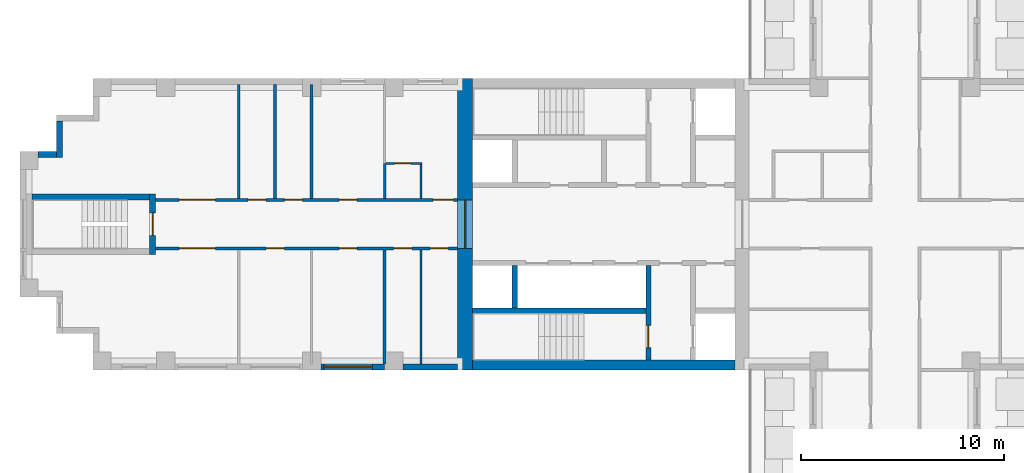
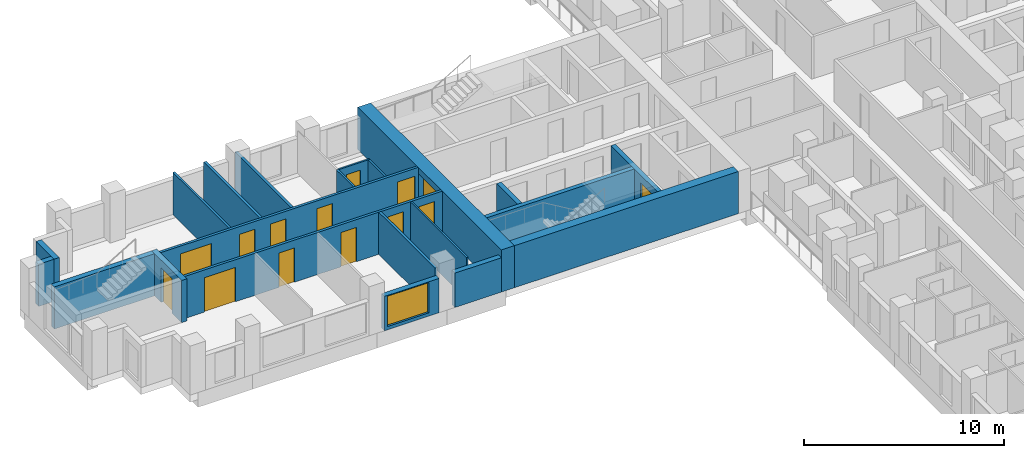
# One storey, part 6 of 16: 21 walls, 14 doors, 1 window, 15 openings.
"""IFC4 building model written with IfcOpenShell, lengths in metres."""

from ifc_helpers import new_model, si_unit, direction, frame, frame_2d, origin, place, context, subcontext, project, spatial, rectangle, extrude, material, layer, layer_set, type_object, element, fill, save


model = new_model("IFC4")

# Units and contexts
model_context = context("Model", 3, precision=1e-05, world=origin(), true_north=direction((0.0, 1.0)))
body_context = subcontext(model_context, "Body", "Model", "MODEL_VIEW")
ifc_project = project(units=[si_unit("LENGTHUNIT", "METRE"), si_unit("AREAUNIT", "SQUARE_METRE"), si_unit("VOLUMEUNIT", "CUBIC_METRE"), si_unit("PLANEANGLEUNIT", "RADIAN"), si_unit("MASSUNIT", "GRAM", prefix="KILO")], contexts=[model_context])

# Site, building, storey
site_placement = place(None, origin())
site = spatial("IfcSite", under=ifc_project, at=site_placement, CompositionType="ELEMENT")
building_placement = place(site_placement, origin())
building = spatial("IfcBuilding", under=site, at=building_placement, Name="Fustian Cross Tower", CompositionType="ELEMENT")
storey_placement = place(building_placement, frame((0.0, 0.0, 26.699951171875)))
storey = spatial("IfcBuildingStorey", under=building, at=storey_placement, Name="L07", CompositionType="ELEMENT", Elevation=26.699951171875)

# Wall, openings, doors
ifc_material_1 = material(Name="Plasterboard on steel stud", Category="steel")
ifc_layer_1 = layer(ifc_material_1, 0.14990234375)
ifc_layer_set_1 = layer_set([ifc_layer_1], Name="Plasterboard on steel stud")
wall_type_1 = type_object("IfcWallType", Name="COMPARTMENT WALL 150 EI 60", PredefinedType="PARTITIONING", material=ifc_layer_set_1)
wall_1_placement = place(storey_placement, frame((-36.5, -1.199951171875, 0.0), z_axis=(0.0, 0.0, 1.0), x_axis=(1.0, 0.0, 0.0)))
wall_1 = element("IfcWall", 1, at=wall_1_placement, inside=storey, type_object=wall_type_1, Name="Partition 1", PredefinedType="PARTITIONING", context=body_context, shape_type="SweptSolid", body=[
    extrude(rectangle(XDim=14.89990234375, YDim=0.14990234375, at=frame_2d((7.449951171875, 0.0))), origin(), (0.0, 0.0, 1.0), 2.574951171875),
])
opening_1_placement = place(wall_1_placement, frame((13.550048828125, 0.0, 0.0)))
opening_1 = element("IfcOpeningElement", 2, at=opening_1_placement, cuts=wall_1, Name="Opening D05039", PredefinedType="OPENING", context=body_context, shape_type="SweptSolid", body=[
    extrude(rectangle(XDim=0.89990234375, YDim=2.10009765625, at=frame_2d((0.449951171875, 1.050048828125))), frame((0.0, 0.0849609375, 0.0), z_axis=(0.0, -1.0, 0.0), x_axis=(1.0, 0.0, 0.0)), (0.0, 0.0, 1.0), 0.169921875),
])
opening_2_placement = place(wall_1_placement, frame((11.75, 0.0, 0.0)))
opening_2 = element("IfcOpeningElement", 3, at=opening_2_placement, cuts=wall_1, Name="Opening D05040", PredefinedType="OPENING", context=body_context, shape_type="SweptSolid", body=[
    extrude(rectangle(XDim=0.89990234375, YDim=2.10009765625, at=frame_2d((0.449951171875, 1.050048828125))), frame((0.0, 0.0849609375, 0.0), z_axis=(0.0, -1.0, 0.0), x_axis=(1.0, 0.0, 0.0)), (0.0, 0.0, 1.0), 0.169921875),
])
opening_3_placement = place(wall_1_placement, frame((9.050048828125, 0.0, 0.0)))
opening_3 = element("IfcOpeningElement", 4, at=opening_3_placement, cuts=wall_1, Name="Opening D05041", PredefinedType="OPENING", context=body_context, shape_type="SweptSolid", body=[
    extrude(rectangle(XDim=0.89990234375, YDim=2.10009765625, at=frame_2d((0.449951171875, 1.050048828125))), frame((0.0, 0.0849609375, 0.0), z_axis=(0.0, -1.0, 0.0), x_axis=(1.0, 0.0, 0.0)), (0.0, 0.0, 1.0), 0.169921875),
])
opening_4_placement = place(wall_1_placement, frame((5.449951171875, 0.0, 0.0)))
opening_4 = element("IfcOpeningElement", 5, at=opening_4_placement, cuts=wall_1, Name="Opening D05042", PredefinedType="OPENING", context=body_context, shape_type="SweptSolid", body=[
    extrude(rectangle(XDim=0.89990234375, YDim=2.10009765625, at=frame_2d((0.449951171875, 1.050048828125))), frame((0.0, 0.0849609375, 0.0), z_axis=(0.0, -1.0, 0.0), x_axis=(1.0, 0.0, 0.0)), (0.0, 0.0, 1.0), 0.169921875),
])
opening_5_placement = place(wall_1_placement, frame((1.14990234375, 0.0, 0.0)))
opening_5 = element("IfcOpeningElement", 6, at=opening_5_placement, cuts=wall_1, Name="Opening D05043", PredefinedType="OPENING", context=body_context, shape_type="SweptSolid", body=[
    extrude(rectangle(XDim=1.800048828125, YDim=2.10009765625, at=frame_2d((0.89990234375, 1.050048828125))), frame((0.0, 0.0849609375, 0.0), z_axis=(0.0, -1.0, 0.0), x_axis=(1.0, 0.0, 0.0)), (0.0, 0.0, 1.0), 0.169921875),
])
ifc_material_2 = material(Name="Timber fire door set", Category="wood")
door_type_1 = type_object("IfcDoorType", Name="FIRE DOUBLE DOOR 1800 FD30S", OperationType="DOUBLE_DOOR_DOUBLE_SWING", PredefinedType="DOOR", material=ifc_material_2)
door_1_placement = place(opening_5_placement, origin())
door_1 = element("IfcDoor", 7, at=door_1_placement, inside=storey, type_object=door_type_1, Name="Door D05043", OperationType="DOUBLE_DOOR_DOUBLE_SWING", OverallHeight=2.10009765625, OverallWidth=1.800048828125, PredefinedType="DOOR", context=body_context, shape_type="SweptSolid", body=[
    extrude(rectangle(XDim=1.800048828125, YDim=2.10009765625, at=frame_2d((0.89990234375, 1.050048828125))), frame((0.0, 0.02490234375, 0.0), z_axis=(0.0, -1.0, 0.0), x_axis=(1.0, 0.0, 0.0)), (0.0, 0.0, 1.0), 0.050048828125),
])
fill(opening_5, door_1)
ifc_material_3 = material(Name="Timber fire door set", Category="wood")
door_type_2 = type_object("IfcDoorType", Name="FIRE SWING DOOR 900 FD30S", OperationType="SINGLE_SWING_LEFT", PredefinedType="DOOR", material=ifc_material_3)
door_2_placement = place(opening_1_placement, frame((0.89990234375, 0.0, 0.0), z_axis=(0.0, 0.0, 1.0), x_axis=(-1.0, 0.0, 0.0)))
door_2 = element("IfcDoor", 8, at=door_2_placement, inside=storey, type_object=door_type_2, Name="Door D05039", OperationType="SINGLE_SWING_LEFT", OverallHeight=2.10009765625, OverallWidth=0.89990234375, PredefinedType="DOOR", context=body_context, shape_type="SweptSolid", body=[
    extrude(rectangle(XDim=0.89990234375, YDim=2.10009765625, at=frame_2d((0.449951171875, 1.050048828125))), frame((0.0, 0.02490234375, 0.0), z_axis=(0.0, -1.0, 0.0), x_axis=(1.0, 0.0, 0.0)), (0.0, 0.0, 1.0), 0.050048828125),
])
fill(opening_1, door_2)
door_3_placement = place(opening_2_placement, frame((0.89990234375, 0.0, 0.0), z_axis=(0.0, 0.0, 1.0), x_axis=(-1.0, 0.0, 0.0)))
door_3 = element("IfcDoor", 9, at=door_3_placement, inside=storey, type_object=door_type_2, Name="Door D05040", OperationType="SINGLE_SWING_LEFT", OverallHeight=2.10009765625, OverallWidth=0.89990234375, PredefinedType="DOOR", context=body_context, shape_type="SweptSolid", body=[
    extrude(rectangle(XDim=0.89990234375, YDim=2.10009765625, at=frame_2d((0.449951171875, 1.050048828125))), frame((0.0, 0.02490234375, 0.0), z_axis=(0.0, -1.0, 0.0), x_axis=(1.0, 0.0, 0.0)), (0.0, 0.0, 1.0), 0.050048828125),
])
fill(opening_2, door_3)
door_4_placement = place(opening_3_placement, frame((0.89990234375, 0.0, 0.0), z_axis=(0.0, 0.0, 1.0), x_axis=(-1.0, 0.0, 0.0)))
door_4 = element("IfcDoor", 10, at=door_4_placement, inside=storey, type_object=door_type_2, Name="Door D05041", OperationType="SINGLE_SWING_RIGHT", OverallHeight=2.10009765625, OverallWidth=0.89990234375, PredefinedType="DOOR", context=body_context, shape_type="SweptSolid", body=[
    extrude(rectangle(XDim=0.89990234375, YDim=2.10009765625, at=frame_2d((0.449951171875, 1.050048828125))), frame((0.0, 0.02490234375, 0.0), z_axis=(0.0, -1.0, 0.0), x_axis=(1.0, 0.0, 0.0)), (0.0, 0.0, 1.0), 0.050048828125),
])
fill(opening_3, door_4)
door_5_placement = place(opening_4_placement, frame((0.89990234375, 0.0, 0.0), z_axis=(0.0, 0.0, 1.0), x_axis=(-1.0, 0.0, 0.0)))
door_5 = element("IfcDoor", 11, at=door_5_placement, inside=storey, type_object=door_type_2, Name="Door D05042", OperationType="SINGLE_SWING_RIGHT", OverallHeight=2.10009765625, OverallWidth=0.89990234375, PredefinedType="DOOR", context=body_context, shape_type="SweptSolid", body=[
    extrude(rectangle(XDim=0.89990234375, YDim=2.10009765625, at=frame_2d((0.449951171875, 1.050048828125))), frame((0.0, 0.02490234375, 0.0), z_axis=(0.0, -1.0, 0.0), x_axis=(1.0, 0.0, 0.0)), (0.0, 0.0, 1.0), 0.050048828125),
])
fill(opening_4, door_5)

wall_2_placement = place(storey_placement, frame((-36.5, 1.199951171875, 0.0), z_axis=(0.0, 0.0, 1.0), x_axis=(1.0, 0.0, 0.0)))
wall_2 = element("IfcWall", 12, at=wall_2_placement, inside=storey, type_object=wall_type_1, Name="Partition 2", PredefinedType="PARTITIONING", context=body_context, shape_type="SweptSolid", body=[
    extrude(rectangle(XDim=14.89990234375, YDim=0.14990234375, at=frame_2d((7.449951171875, 0.0))), origin(), (0.0, 0.0, 1.0), 2.574951171875),
])
opening_6_placement = place(wall_2_placement, frame((13.699951171875, 0.0, 0.0)))
opening_6 = element("IfcOpeningElement", 13, at=opening_6_placement, cuts=wall_2, Name="Opening D05045", PredefinedType="OPENING", context=body_context, shape_type="SweptSolid", body=[
    extrude(rectangle(XDim=1.0, YDim=2.10009765625, at=frame_2d((0.5, 1.050048828125))), frame((0.0, 0.0849609375, 0.0), z_axis=(0.0, -1.0, 0.0), x_axis=(1.0, 0.0, 0.0)), (0.0, 0.0, 1.0), 0.169921875),
])
opening_7_placement = place(wall_2_placement, frame((9.050048828125, 0.0, 0.0)))
opening_7 = element("IfcOpeningElement", 14, at=opening_7_placement, cuts=wall_2, Name="Opening D05046", PredefinedType="OPENING", context=body_context, shape_type="SweptSolid", body=[
    extrude(rectangle(XDim=0.89990234375, YDim=2.10009765625, at=frame_2d((0.449951171875, 1.050048828125))), frame((0.0, 0.0849609375, 0.0), z_axis=(0.0, -1.0, 0.0), x_axis=(1.0, 0.0, 0.0)), (0.0, 0.0, 1.0), 0.169921875),
])
opening_8_placement = place(wall_2_placement, frame((6.35009765625, 0.0, 0.0)))
opening_8 = element("IfcOpeningElement", 15, at=opening_8_placement, cuts=wall_2, Name="Opening D05047", PredefinedType="OPENING", context=body_context, shape_type="SweptSolid", body=[
    extrude(rectangle(XDim=0.89990234375, YDim=2.10009765625, at=frame_2d((0.449951171875, 1.050048828125))), frame((0.0, 0.0849609375, 0.0), z_axis=(0.0, -1.0, 0.0), x_axis=(1.0, 0.0, 0.0)), (0.0, 0.0, 1.0), 0.169921875),
])
opening_9_placement = place(wall_2_placement, frame((4.550048828125, 0.0, 0.0)))
opening_9 = element("IfcOpeningElement", 16, at=opening_9_placement, cuts=wall_2, Name="Opening D05048", PredefinedType="OPENING", context=body_context, shape_type="SweptSolid", body=[
    extrude(rectangle(XDim=0.89990234375, YDim=2.10009765625, at=frame_2d((0.449951171875, 1.050048828125))), frame((0.0, 0.0849609375, 0.0), z_axis=(0.0, -1.0, 0.0), x_axis=(1.0, 0.0, 0.0)), (0.0, 0.0, 1.0), 0.169921875),
])
opening_10_placement = place(wall_2_placement, frame((1.14990234375, 0.0, 0.0)))
opening_10 = element("IfcOpeningElement", 17, at=opening_10_placement, cuts=wall_2, Name="Opening D05049", PredefinedType="OPENING", context=body_context, shape_type="SweptSolid", body=[
    extrude(rectangle(XDim=1.800048828125, YDim=2.10009765625, at=frame_2d((0.89990234375, 1.050048828125))), frame((0.0, 0.0849609375, 0.0), z_axis=(0.0, -1.0, 0.0), x_axis=(1.0, 0.0, 0.0)), (0.0, 0.0, 1.0), 0.169921875),
])
door_6_placement = place(opening_10_placement, frame((1.800048828125, 0.0, 0.0), z_axis=(0.0, 0.0, 1.0), x_axis=(-1.0, 0.0, 0.0)))
door_6 = element("IfcDoor", 18, at=door_6_placement, inside=storey, type_object=door_type_1, Name="Door D05049", OperationType="DOUBLE_DOOR_DOUBLE_SWING", OverallHeight=2.10009765625, OverallWidth=1.800048828125, PredefinedType="DOOR", context=body_context, shape_type="SweptSolid", body=[
    extrude(rectangle(XDim=1.800048828125, YDim=2.10009765625, at=frame_2d((0.89990234375, 1.050048828125))), frame((0.0, 0.02490234375, 0.0), z_axis=(0.0, -1.0, 0.0), x_axis=(1.0, 0.0, 0.0)), (0.0, 0.0, 1.0), 0.050048828125),
])
fill(opening_10, door_6)
ifc_material_4 = material(Name="Timber fire door set", Category="wood")
door_type_3 = type_object("IfcDoorType", Name="FIRE SWING DOOR 1000 FD30S", OperationType="SINGLE_SWING_LEFT", PredefinedType="DOOR", material=ifc_material_4)
door_7_placement = place(opening_6_placement, origin())
door_7 = element("IfcDoor", 19, at=door_7_placement, inside=storey, type_object=door_type_3, Name="Door D05045", OperationType="SINGLE_SWING_RIGHT", OverallHeight=2.10009765625, OverallWidth=1.0, PredefinedType="DOOR", context=body_context, shape_type="SweptSolid", body=[
    extrude(rectangle(XDim=1.0, YDim=2.10009765625, at=frame_2d((0.5, 1.050048828125))), frame((0.0, 0.02490234375, 0.0), z_axis=(0.0, -1.0, 0.0), x_axis=(1.0, 0.0, 0.0)), (0.0, 0.0, 1.0), 0.050048828125),
])
fill(opening_6, door_7)
door_8_placement = place(opening_7_placement, origin())
door_8 = element("IfcDoor", 20, at=door_8_placement, inside=storey, type_object=door_type_2, Name="Door D05046", OperationType="SINGLE_SWING_LEFT", OverallHeight=2.10009765625, OverallWidth=0.89990234375, PredefinedType="DOOR", context=body_context, shape_type="SweptSolid", body=[
    extrude(rectangle(XDim=0.89990234375, YDim=2.10009765625, at=frame_2d((0.449951171875, 1.050048828125))), frame((0.0, 0.02490234375, 0.0), z_axis=(0.0, -1.0, 0.0), x_axis=(1.0, 0.0, 0.0)), (0.0, 0.0, 1.0), 0.050048828125),
])
fill(opening_7, door_8)
door_9_placement = place(opening_8_placement, origin())
door_9 = element("IfcDoor", 21, at=door_9_placement, inside=storey, type_object=door_type_2, Name="Door D05047", OperationType="SINGLE_SWING_RIGHT", OverallHeight=2.10009765625, OverallWidth=0.89990234375, PredefinedType="DOOR", context=body_context, shape_type="SweptSolid", body=[
    extrude(rectangle(XDim=0.89990234375, YDim=2.10009765625, at=frame_2d((0.449951171875, 1.050048828125))), frame((0.0, 0.02490234375, 0.0), z_axis=(0.0, -1.0, 0.0), x_axis=(1.0, 0.0, 0.0)), (0.0, 0.0, 1.0), 0.050048828125),
])
fill(opening_8, door_9)
door_10_placement = place(opening_9_placement, origin())
door_10 = element("IfcDoor", 22, at=door_10_placement, inside=storey, type_object=door_type_2, Name="Door D05048", OperationType="SINGLE_SWING_RIGHT", OverallHeight=2.10009765625, OverallWidth=0.89990234375, PredefinedType="DOOR", context=body_context, shape_type="SweptSolid", body=[
    extrude(rectangle(XDim=0.89990234375, YDim=2.10009765625, at=frame_2d((0.449951171875, 1.050048828125))), frame((0.0, 0.02490234375, 0.0), z_axis=(0.0, -1.0, 0.0), x_axis=(1.0, 0.0, 0.0)), (0.0, 0.0, 1.0), 0.050048828125),
])
fill(opening_9, door_10)

# Walls
for number, where, z_axis, x_axis, name in (
    (23, (-30.60009765625, 1.27490234375, 0.0), (0.0, 0.0, 1.0), (0.0, 1.0, 0.0), "Partition 5"),
    (24, (-28.800048828125, 1.27490234375, 0.0), (0.0, 0.0, 1.0), (0.0, 1.0, 0.0), "Partition 7"),
    (25, (-25.199951171875, -6.89990234375, 0.0), (0.0, 0.0, 1.0), (0.0, 1.0, 0.0), "Partition 8"),
):
    element("IfcWall", number, at=place(storey_placement, frame(where, z_axis=z_axis, x_axis=x_axis)), inside=storey, type_object=wall_type_1, Name=name, PredefinedType="PARTITIONING", context=body_context, shape_type="SweptSolid", body=[
        extrude(rectangle(XDim=5.625, YDim=0.14990234375, at=frame_2d((2.8125, 0.0))), origin(), (0.0, 0.0, 1.0), 2.574951171875),
    ])

# Wall, opening, door
ifc_material_5 = material(Name="Concrete C80/95", Category="concrete")
ifc_layer_2 = layer(ifc_material_5, 0.75)
ifc_layer_set_2 = layer_set([ifc_layer_2], Name="Concrete C80/95")
wall_type_2 = type_object("IfcWallType", Name="CORE END WALL 750 C80/95", PredefinedType="SHEAR", material=ifc_layer_set_2)
wall_3_placement = place(storey_placement, frame((-21.22509765625, -7.199951171875, 0.0), z_axis=(0.0, 0.0, 1.0), x_axis=(0.0, 1.0, 0.0)))
wall_3 = element("IfcWall", 26, at=wall_3_placement, inside=storey, type_object=wall_type_2, Name="Core end wall", PredefinedType="SHEAR", context=body_context, shape_type="SweptSolid", body=[
    extrude(rectangle(XDim=14.39990234375, YDim=0.75, at=frame_2d((7.199951171875, 0.0))), origin(), (0.0, 0.0, 1.0), 2.574951171875),
])
opening_11_placement = place(wall_3_placement, frame((6.0, 0.0, 0.0)))
opening_11 = element("IfcOpeningElement", 27, at=opening_11_placement, cuts=wall_3, Name="Opening CD-05-28", PredefinedType="OPENING", context=body_context, shape_type="SweptSolid", body=[
    extrude(rectangle(XDim=2.39990234375, YDim=2.199951171875, at=frame_2d((1.199951171875, 1.10009765625))), frame((0.0, 0.385009765625, 0.0), z_axis=(0.0, -1.0, 0.0), x_axis=(1.0, 0.0, 0.0)), (0.0, 0.0, 1.0), 0.77001953125),
])
ifc_material_6 = material(Name="Steel", Category="steel")
door_type_4 = type_object("IfcDoorType", Name="FIRE DOOR FD30S DOUBLE 2400X2200", OperationType="DOUBLE_DOOR_DOUBLE_SWING", PredefinedType="DOOR", material=ifc_material_6)
door_11_placement = place(opening_11_placement, frame((2.39990234375, 0.0, 0.0), z_axis=(0.0, 0.0, 1.0), x_axis=(-1.0, 0.0, 0.0)))
door_11 = element("IfcDoor", 28, at=door_11_placement, inside=storey, type_object=door_type_4, Name="Core door CD-05-28", OperationType="DOUBLE_DOOR_DOUBLE_SWING", OverallHeight=2.199951171875, OverallWidth=2.39990234375, PredefinedType="DOOR", context=body_context, shape_type="SweptSolid", body=[
    extrude(rectangle(XDim=2.39990234375, YDim=2.199951171875, at=frame_2d((1.199951171875, 1.10009765625))), frame((0.0, 0.02490234375, 0.0), z_axis=(0.0, -1.0, 0.0), x_axis=(1.0, 0.0, 0.0)), (0.0, 0.0, 1.0), 0.050048828125),
])
fill(opening_11, door_11)

# Walls
ifc_material_7 = material(Name="Concrete C80/95", Category="concrete")
ifc_layer_3 = layer(ifc_material_7, 0.5)
ifc_layer_set_3 = layer_set([ifc_layer_3], Name="Concrete C80/95")
wall_type_3 = type_object("IfcWallType", Name="CORE FACADE WALL 500 C80/95", PredefinedType="SHEAR", material=ifc_layer_set_3)
wall_4_placement = place(storey_placement, frame((-7.89990234375, -6.949951171875, 0.0), z_axis=(0.0, 0.0, 1.0), x_axis=(-1.0, 0.0, 0.0)))
element("IfcWall", 29, at=wall_4_placement, inside=storey, type_object=wall_type_3, Name="Core facade wall", PredefinedType="SHEAR", context=body_context, shape_type="SweptSolid", body=[
    extrude(rectangle(XDim=12.9501953125, YDim=0.5, at=frame_2d((6.47509765625, 0.0))), origin(), (0.0, 0.0, 1.0), 2.574951171875),
])
ifc_material_8 = material(Name="Concrete C50/60", Category="concrete")
ifc_layer_4 = layer(ifc_material_8, 0.25)
ifc_layer_set_4 = layer_set([ifc_layer_4], Name="Concrete C50/60")
wall_type_4 = type_object("IfcWallType", Name="CORE SHAFT WALL 250 C50/60", PredefinedType="SHEAR", material=ifc_layer_set_4)
wall_5_placement = place(storey_placement, frame((-12.300048828125, -4.27490234375, 0.0), z_axis=(0.0, 0.0, 1.0), x_axis=(-1.0, 0.0, 0.0)))
element("IfcWall", 30, at=wall_5_placement, inside=storey, type_object=wall_type_4, Name="Core shaft wall", PredefinedType="SHEAR", context=body_context, shape_type="SweptSolid", body=[
    extrude(rectangle(XDim=8.550048828125, YDim=0.25, at=frame_2d((4.27490234375, 0.0))), origin(), (0.0, 0.0, 1.0), 2.574951171875),
])

# Wall, opening, door
wall_6_placement = place(storey_placement, frame((-12.175048828125, -2.050048828125, 0.0), z_axis=(0.0, 0.0, 1.0), x_axis=(0.0, -1.0, 0.0)))
wall_6 = element("IfcWall", 31, at=wall_6_placement, inside=storey, type_object=wall_type_4, Name="Core shaft wall", PredefinedType="SHEAR", context=body_context, shape_type="SweptSolid", body=[
    extrude(rectangle(XDim=4.64990234375, YDim=0.25, at=frame_2d((2.324951171875, 0.0))), origin(), (0.0, 0.0, 1.0), 2.574951171875),
])
opening_12_placement = place(wall_6_placement, frame((2.949951171875, 0.0, 0.0)))
opening_12 = element("IfcOpeningElement", 32, at=opening_12_placement, cuts=wall_6, Name="Opening CD-05-22", PredefinedType="OPENING", context=body_context, shape_type="SweptSolid", body=[
    extrude(rectangle(XDim=1.10009765625, YDim=2.10009765625, at=frame_2d((0.550048828125, 1.050048828125))), frame((0.0, 0.135009765625, 0.0), z_axis=(0.0, -1.0, 0.0), x_axis=(1.0, 0.0, 0.0)), (0.0, 0.0, 1.0), 0.27001953125),
])
ifc_material_9 = material(Name="Steel", Category="steel")
door_type_5 = type_object("IfcDoorType", Name="FIRE DOOR FD60S 1100X2100", OperationType="SINGLE_SWING_LEFT", PredefinedType="DOOR", material=ifc_material_9)
door_12_placement = place(opening_12_placement, frame((1.10009765625, 0.0, 0.0), z_axis=(0.0, 0.0, 1.0), x_axis=(-1.0, 0.0, 0.0)))
door_12 = element("IfcDoor", 33, at=door_12_placement, inside=storey, type_object=door_type_5, Name="Core door CD-05-22", OperationType="SINGLE_SWING_RIGHT", OverallHeight=2.10009765625, OverallWidth=1.10009765625, PredefinedType="DOOR", context=body_context, shape_type="SweptSolid", body=[
    extrude(rectangle(XDim=1.10009765625, YDim=2.10009765625, at=frame_2d((0.550048828125, 1.050048828125))), frame((0.0, 0.02490234375, 0.0), z_axis=(0.0, -1.0, 0.0), x_axis=(1.0, 0.0, 0.0)), (0.0, 0.0, 1.0), 0.050048828125),
])
fill(opening_12, door_12)

ifc_material_10 = material(Name="Plasterboard on steel stud", Category="steel")
ifc_layer_5 = layer(ifc_material_10, 0.10009765625)
ifc_layer_set_5 = layer_set([ifc_layer_5], Name="Plasterboard on steel stud")
wall_type_5 = type_object("IfcWallType", Name="PARTITION 100 STUD", PredefinedType="PARTITIONING", material=ifc_layer_set_5)
wall_7_placement = place(storey_placement, frame((-25.137451171875, 3.0, 0.0), z_axis=(0.0, 0.0, 1.0), x_axis=(1.0, 0.0, 0.0)))
wall_7 = element("IfcWall", 34, at=wall_7_placement, inside=storey, type_object=wall_type_5, Name="Partition 11", PredefinedType="PARTITIONING", context=body_context, shape_type="SweptSolid", body=[
    extrude(rectangle(XDim=1.787353515625, YDim=0.10009765625, at=frame_2d((0.8935546875, 0.0))), origin(), (0.0, 0.0, 1.0), 2.574951171875),
])
opening_13_placement = place(wall_7_placement, frame((0.4375, 0.0, 0.0)))
opening_13 = element("IfcOpeningElement", 35, at=opening_13_placement, cuts=wall_7, Name="Opening D05044", PredefinedType="OPENING", context=body_context, shape_type="SweptSolid", body=[
    extrude(rectangle(XDim=0.800048828125, YDim=2.10009765625, at=frame_2d((0.39990234375, 1.050048828125))), frame((0.0, 0.06005859375, 0.0), z_axis=(0.0, -1.0, 0.0), x_axis=(1.0, 0.0, 0.0)), (0.0, 0.0, 1.0), 0.1201171875),
])
ifc_material_11 = material(Name="Painted timber", Category="wood")
door_type_6 = type_object("IfcDoorType", Name="SWING DOOR 800", OperationType="SINGLE_SWING_LEFT", PredefinedType="DOOR", material=ifc_material_11)
door_13_placement = place(opening_13_placement, frame((0.800048828125, 0.0, 0.0), z_axis=(0.0, 0.0, 1.0), x_axis=(-1.0, 0.0, 0.0)))
door_13 = element("IfcDoor", 36, at=door_13_placement, inside=storey, type_object=door_type_6, Name="Door D05044", OperationType="SINGLE_SWING_LEFT", OverallHeight=2.10009765625, OverallWidth=0.800048828125, PredefinedType="DOOR", context=body_context, shape_type="SweptSolid", body=[
    extrude(rectangle(XDim=0.800048828125, YDim=2.10009765625, at=frame_2d((0.39990234375, 1.050048828125))), frame((0.0, 0.02490234375, 0.0), z_axis=(0.0, -1.0, 0.0), x_axis=(1.0, 0.0, 0.0)), (0.0, 0.0, 1.0), 0.050048828125),
])
fill(opening_13, door_13)

# Walls
wall_8_placement = place(storey_placement, frame((-23.39990234375, -6.89990234375, 0.0), z_axis=(0.0, 0.0, 1.0), x_axis=(0.0, 1.0, 0.0)))
element("IfcWall", 37, at=wall_8_placement, inside=storey, type_object=wall_type_5, Name="Partition 12", PredefinedType="PARTITIONING", context=body_context, shape_type="SweptSolid", body=[
    extrude(rectangle(XDim=5.625, YDim=0.10009765625, at=frame_2d((2.8125, 0.0))), origin(), (0.0, 0.0, 1.0), 2.574951171875),
])
wall_9_placement = place(storey_placement, frame((-23.39990234375, 1.27490234375, 0.0), z_axis=(0.0, 0.0, 1.0), x_axis=(0.0, 1.0, 0.0)))
element("IfcWall", 38, at=wall_9_placement, inside=storey, type_object=wall_type_5, Name="Partition 13", PredefinedType="PARTITIONING", context=body_context, shape_type="SweptSolid", body=[
    extrude(rectangle(XDim=1.675048828125, YDim=0.10009765625, at=frame_2d((0.83740234375, 0.0))), origin(), (0.0, 0.0, 1.0), 2.574951171875),
])
ifc_material_12 = material(Name="Concrete C40/50", Category="concrete")
ifc_layer_6 = layer(ifc_material_12, 0.25)
ifc_layer_set_6 = layer_set([ifc_layer_6], Name="Concrete C40/50")
wall_type_6 = type_object("IfcWallType", Name="SHAFT PARTITION WALL 250 C40/50", PredefinedType="PARTITIONING", material=ifc_layer_set_6)
wall_10_placement = place(storey_placement, frame((-18.77490234375, -2.050048828125, 0.0), z_axis=(0.0, 0.0, 1.0), x_axis=(0.0, -1.0, 0.0)))
element("IfcWall", 39, at=wall_10_placement, inside=storey, type_object=wall_type_6, Name="Core shaft wall", PredefinedType="PARTITIONING", context=body_context, shape_type="SweptSolid", body=[
    extrude(rectangle(XDim=2.099853515625, YDim=0.25, at=frame_2d((1.0498046875, 0.0))), origin(), (0.0, 0.0, 1.0), 2.574951171875),
])

# Wall, opening, door
ifc_material_13 = material(Name="Concrete C50/60", Category="concrete")
ifc_layer_7 = layer(ifc_material_13, 0.300048828125)
ifc_layer_set_7 = layer_set([ifc_layer_7], Name="Concrete C50/60")
wall_type_7 = type_object("IfcWallType", Name="STAIR ENCLOSURE WALL 300 C50/60", PredefinedType="SHEAR", material=ifc_layer_set_7)
wall_11_placement = place(storey_placement, frame((-36.64990234375, -1.5, 0.0), z_axis=(0.0, 0.0, 1.0), x_axis=(0.0, 1.0, 0.0)))
wall_11 = element("IfcWall", 40, at=wall_11_placement, inside=storey, type_object=wall_type_7, Name="Stair enclosure wall", PredefinedType="SHEAR", context=body_context, shape_type="SweptSolid", body=[
    extrude(rectangle(XDim=3.0, YDim=0.300048828125, at=frame_2d((1.5, 0.0))), origin(), (0.0, 0.0, 1.0), 2.574951171875),
])
opening_14_placement = place(wall_11_placement, frame((0.949951171875, 0.0, 0.0)))
opening_14 = element("IfcOpeningElement", 41, at=opening_14_placement, cuts=wall_11, Name="Opening CD-05-34", PredefinedType="OPENING", context=body_context, shape_type="SweptSolid", body=[
    extrude(rectangle(XDim=1.10009765625, YDim=2.10009765625, at=frame_2d((0.550048828125, 1.050048828125))), frame((0.0, 0.159912109375, 0.0), z_axis=(0.0, -1.0, 0.0), x_axis=(1.0, 0.0, 0.0)), (0.0, 0.0, 1.0), 0.320068359375),
])
door_14_placement = place(opening_14_placement, origin())
door_14 = element("IfcDoor", 42, at=door_14_placement, inside=storey, type_object=door_type_5, Name="Core door CD-05-34", OperationType="SINGLE_SWING_LEFT", OverallHeight=2.10009765625, OverallWidth=1.10009765625, PredefinedType="DOOR", context=body_context, shape_type="SweptSolid", body=[
    extrude(rectangle(XDim=1.10009765625, YDim=2.10009765625, at=frame_2d((0.550048828125, 1.050048828125))), frame((0.0, 0.02490234375, 0.0), z_axis=(0.0, -1.0, 0.0), x_axis=(1.0, 0.0, 0.0)), (0.0, 0.0, 1.0), 0.050048828125),
])
fill(opening_14, door_14)

# Walls
wall_12_placement = place(storey_placement, frame((-36.800048828125, 1.35009765625, 0.0), z_axis=(0.0, 0.0, 1.0), x_axis=(-1.0, 0.0, 0.0)))
element("IfcWall", 43, at=wall_12_placement, inside=storey, type_object=wall_type_7, Name="Stair enclosure wall", PredefinedType="SHEAR", context=body_context, shape_type="SweptSolid", body=[
    extrude(rectangle(XDim=5.800048828125, YDim=0.300048828125, at=frame_2d((2.89990234375, 0.0))), origin(), (0.0, 0.0, 1.0), 2.574951171875),
])
ifc_material_14 = material(Name="Plasterboard on steel stud", Category="steel")
ifc_layer_8 = layer(ifc_material_14, 0.125)
ifc_layer_set_8 = layer_set([ifc_layer_8], Name="Plasterboard on steel stud")
wall_type_8 = type_object("IfcWallType", Name="WET WALL 125 STUD", PredefinedType="PARTITIONING", material=ifc_layer_set_8)
wall_13_placement = place(storey_placement, frame((-32.39990234375, 1.27490234375, 0.0), z_axis=(0.0, 0.0, 1.0), x_axis=(0.0, 1.0, 0.0)))
element("IfcWall", 44, at=wall_13_placement, inside=storey, type_object=wall_type_8, Name="Partition 4", PredefinedType="PARTITIONING", context=body_context, shape_type="SweptSolid", body=[
    extrude(rectangle(XDim=5.625, YDim=0.125, at=frame_2d((2.8125, 0.0))), origin(), (0.0, 0.0, 1.0), 2.574951171875),
])
wall_14_placement = place(storey_placement, frame((-25.199951171875, 1.27490234375, 0.0), z_axis=(0.0, 0.0, 1.0), x_axis=(0.0, 1.0, 0.0)))
element("IfcWall", 45, at=wall_14_placement, inside=storey, type_object=wall_type_8, Name="Partition 9", PredefinedType="PARTITIONING", context=body_context, shape_type="SweptSolid", body=[
    extrude(rectangle(XDim=1.72509765625, YDim=0.125, at=frame_2d((0.862548828125, 0.0))), origin(), (0.0, 0.0, 1.0), 2.574951171875),
])
ifc_material_15 = material(Name="Dark aluminium cladding on insulated backing wall", Category="aluminium")
ifc_layer_9 = layer(ifc_material_15, 0.300048828125)
ifc_layer_set_9 = layer_set([ifc_layer_9], Name="Dark aluminium cladding on insulated backing wall")
wall_type_9 = type_object("IfcWallType", Name="XW1 EXTERNAL WALL 300", PredefinedType="SOLIDWALL", material=ifc_layer_set_9)
wall_15_placement = place(storey_placement, frame((-41.25, 5.10009765625, 0.0), z_axis=(0.0, 0.0, 1.0), x_axis=(0.0, -1.0, 0.0)))
element("IfcWall", 46, at=wall_15_placement, inside=storey, type_object=wall_type_9, Name="External wall", PredefinedType="SOLIDWALL", context=body_context, shape_type="SweptSolid", body=[
    extrude(rectangle(XDim=1.800048828125, YDim=0.300048828125, at=frame_2d((0.89990234375, 0.0))), origin(), (0.0, 0.0, 1.0), 2.574951171875),
])
wall_16_placement = place(storey_placement, frame((-41.39990234375, 3.449951171875, 0.0), z_axis=(0.0, 0.0, 1.0), x_axis=(-1.0, 0.0, 0.0)))
element("IfcWall", 47, at=wall_16_placement, inside=storey, type_object=wall_type_9, Name="External wall", PredefinedType="SOLIDWALL", context=body_context, shape_type="SweptSolid", body=[
    extrude(rectangle(XDim=0.900146484375, YDim=0.300048828125, at=frame_2d((0.4501953125, 0.0))), origin(), (0.0, 0.0, 1.0), 2.574951171875),
])

# Wall, opening, window
wall_17_placement = place(storey_placement, frame((-28.35009765625, -7.050048828125, 0.0), z_axis=(0.0, 0.0, 1.0), x_axis=(1.0, 0.0, 0.0)))
wall_17 = element("IfcWall", 48, at=wall_17_placement, inside=storey, type_object=wall_type_9, Name="External wall", PredefinedType="SOLIDWALL", context=body_context, shape_type="SweptSolid", body=[
    extrude(rectangle(XDim=3.150146484375, YDim=0.300048828125, at=frame_2d((1.5751953125, 0.0))), origin(), (0.0, 0.0, 1.0), 2.10009765625),
])
opening_15_placement = place(wall_17_placement, frame((0.14990234375, 0.0, 0.199951171875)))
opening_15 = element("IfcOpeningElement", 49, at=opening_15_placement, cuts=wall_17, Name="Opening WN1", PredefinedType="OPENING", context=body_context, shape_type="SweptSolid", body=[
    extrude(rectangle(XDim=2.39990234375, YDim=1.85009765625, at=frame_2d((1.199951171875, 0.925048828125))), frame((0.0, 0.159912109375, 0.0), z_axis=(0.0, -1.0, 0.0), x_axis=(1.0, 0.0, 0.0)), (0.0, 0.0, 1.0), 0.320068359375),
])
ifc_material_16 = material(Name="Dark anodised aluminium and double glazing", Category="aluminium")
window_type = type_object("IfcWindowType", Name="WN1 WINDOW 2400X1850", PartitioningType="SINGLE_PANEL", PredefinedType="WINDOW", material=ifc_material_16)
window_placement = place(opening_15_placement, origin())
window = element("IfcWindow", 50, at=window_placement, inside=storey, type_object=window_type, Name="Window", OverallHeight=1.85009765625, OverallWidth=2.39990234375, PartitioningType="SINGLE_PANEL", PredefinedType="WINDOW", context=body_context, shape_type="SweptSolid", body=[
    extrude(rectangle(XDim=2.39990234375, YDim=1.85009765625, at=frame_2d((1.199951171875, 0.925048828125))), frame((0.0, 0.030029296875, 0.0), z_axis=(0.0, -1.0, 0.0), x_axis=(1.0, 0.0, 0.0)), (0.0, 0.0, 1.0), 0.06005859375),
])
fill(opening_15, window)

# Wall
wall_18_placement = place(storey_placement, frame((-24.300048828125, -7.050048828125, 0.0), z_axis=(0.0, 0.0, 1.0), x_axis=(1.0, 0.0, 0.0)))
element("IfcWall", 51, at=wall_18_placement, inside=storey, type_object=wall_type_9, Name="External wall", PredefinedType="SOLIDWALL", context=body_context, shape_type="SweptSolid", body=[
    extrude(rectangle(XDim=2.699951171875, YDim=0.300048828125, at=frame_2d((1.35009765625, 0.0))), origin(), (0.0, 0.0, 1.0), 2.10009765625),
])

save(model, "model.ifc")
